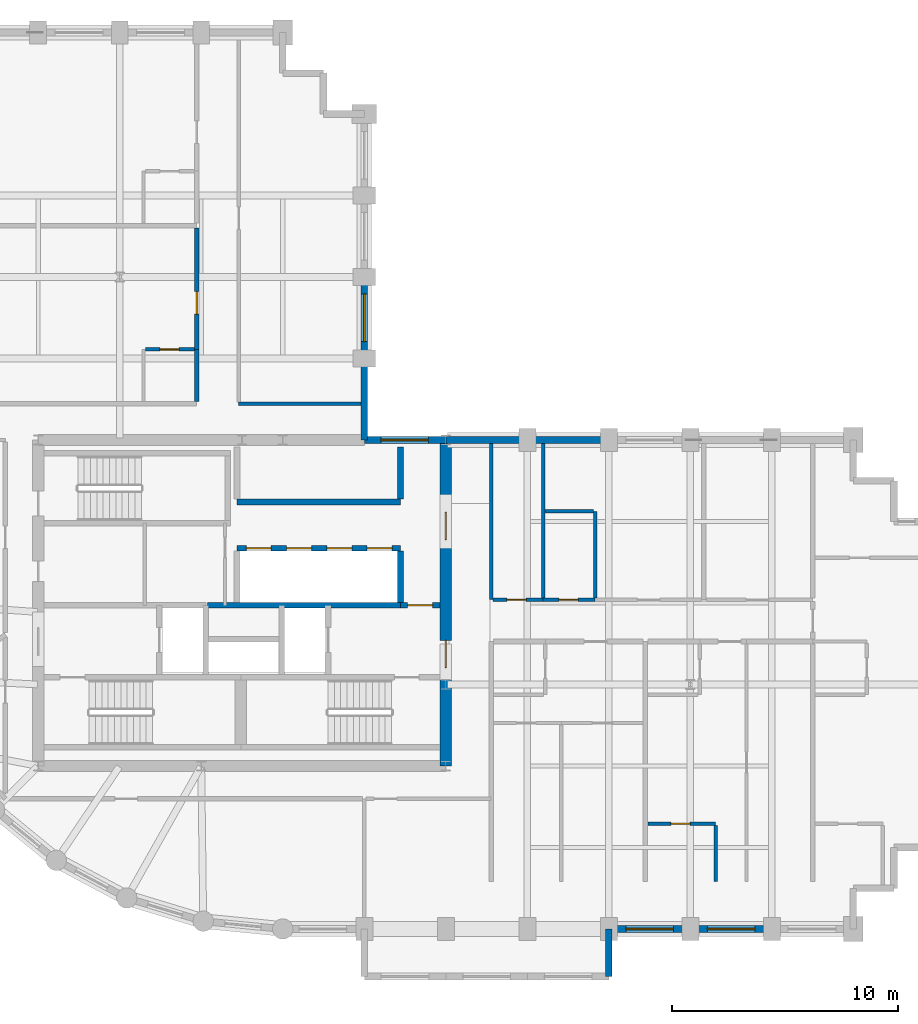
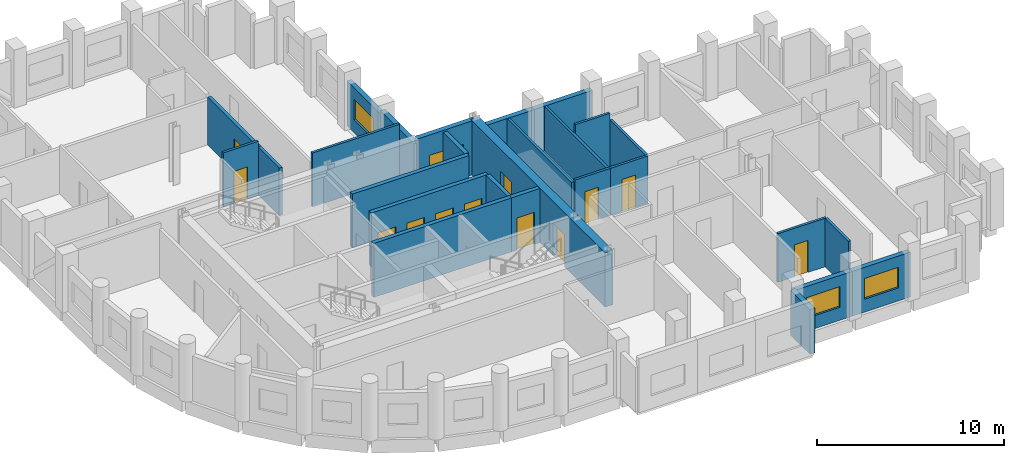
# One storey, part 5 of 9: 27 walls, 12 doors, 4 windows, 16 openings.
"""IFC4 building model written with IfcOpenShell, lengths in metres."""

from ifc_helpers import new_model, si_unit, direction, frame, frame_2d, origin, place, context, subcontext, project, spatial, rectangle, extrude, material, layer, layer_set, type_object, element, fill, save


model = new_model("IFC4")

# Units and contexts
model_context = context("Model", 3, precision=1e-05, world=origin(), true_north=direction((0.0, 1.0)))
body_context = subcontext(model_context, "Body", "Model", "MODEL_VIEW")
ifc_project = project(units=[si_unit("LENGTHUNIT", "METRE"), si_unit("AREAUNIT", "SQUARE_METRE"), si_unit("VOLUMEUNIT", "CUBIC_METRE"), si_unit("PLANEANGLEUNIT", "RADIAN"), si_unit("MASSUNIT", "GRAM", prefix="KILO")], contexts=[model_context])

# Site, building, storey
site_placement = place(None, origin())
site = spatial("IfcSite", under=ifc_project, at=site_placement, CompositionType="ELEMENT")
building_placement = place(site_placement, origin())
building = spatial("IfcBuilding", under=site, at=building_placement, Name="Solnavia Interchange Tower", CompositionType="ELEMENT")
storey_placement = place(building_placement, frame((0.0, 0.0, 139.0)))
storey = spatial("IfcBuildingStorey", under=building, at=storey_placement, Name="L34", CompositionType="ELEMENT", Elevation=139.0)

# Wall
ifc_material_1 = material(Name="Gypsum Acoustic Twin-Stud & Mineral Wool", Category="gypsum")
ifc_layer_1 = layer(ifc_material_1, 0.199951171875)
ifc_layer_set_1 = layer_set([ifc_layer_1], Name="Gypsum Acoustic Twin-Stud & Mineral Wool")
wall_type_1 = type_object("IfcWallType", Name="Wall-ApartmentParty-200", PredefinedType="PARTITIONING", material=ifc_layer_set_1)
wall_1_placement = place(storey_placement, frame((21.39990234375, 26.904052734375, 0.0), z_axis=(0.0, 0.0, 1.0), x_axis=(0.0, 1.0, 0.0)))
element("IfcWall", 1, at=wall_1_placement, inside=storey, type_object=wall_type_1, Name="PTW-L34-46 Interior partition wall", PredefinedType="PARTITIONING", context=body_context, shape_type="SweptSolid", body=[
    extrude(rectangle(XDim=2.2958984375, YDim=0.199951171875, at=frame_2d((1.14794921875, 0.0))), origin(), (0.0, 0.0, 1.0), 3.1298828125),
])

# Wall, opening, door
wall_2_placement = place(storey_placement, frame((21.39990234375, 29.199951171875, 0.0), z_axis=(0.0, 0.0, 1.0), x_axis=(0.0, 1.0, 0.0)))
wall_2 = element("IfcWall", 2, at=wall_2_placement, inside=storey, type_object=wall_type_1, Name="PTW-L34-49 Interior partition wall", PredefinedType="PARTITIONING", context=body_context, shape_type="SweptSolid", body=[
    extrude(rectangle(XDim=5.365966796875, YDim=0.199951171875, at=frame_2d((2.68310546875, 0.0))), origin(), (0.0, 0.0, 1.0), 3.1298828125),
])
opening_1_placement = place(wall_2_placement, frame((1.556884765625, 0.0, 0.0)))
opening_1 = element("IfcOpeningElement", 3, at=opening_1_placement, cuts=wall_2, Name="Opening DR-06", PredefinedType="OPENING", context=body_context, shape_type="SweptSolid", body=[
    extrude(rectangle(XDim=1.0, YDim=2.10009765625, at=frame_2d((0.5, 1.050048828125))), frame((0.0, 0.10986328125, 0.0), z_axis=(0.0, -1.0, 0.0), x_axis=(1.0, 0.0, 0.0)), (0.0, 0.0, 1.0), 0.219970703125),
])
ifc_material_2 = material(Name="Engineered Timber Acoustic Fire Door", Category="wood")
door_type_1 = type_object("IfcDoorType", Name="Door-FlatEntry-1000x2100", OperationType="SINGLE_SWING_LEFT", PredefinedType="DOOR", material=ifc_material_2)
door_1_placement = place(opening_1_placement, origin())
door_1 = element("IfcDoor", 4, at=door_1_placement, inside=storey, type_object=door_type_1, Name="DR-L34-22 Interior room door", OperationType="SINGLE_SWING_LEFT", OverallHeight=2.10009765625, OverallWidth=1.0, PredefinedType="DOOR", context=body_context, shape_type="SweptSolid", body=[
    extrude(rectangle(XDim=1.0, YDim=2.10009765625, at=frame_2d((0.5, 1.050048828125))), frame((0.0, 0.02490234375, 0.0), z_axis=(0.0, -1.0, 0.0), x_axis=(1.0, 0.0, 0.0)), (0.0, 0.0, 1.0), 0.050048828125),
])
fill(opening_1, door_1)

# Wall
ifc_material_3 = material(Name="Concrete C40/50", Category="concrete")
ifc_layer_2 = layer(ifc_material_3, 0.300048828125)
ifc_layer_set_2 = layer_set([ifc_layer_2], Name="Concrete C40/50")
wall_type_2 = type_object("IfcWallType", Name="Wall-ExtSpandrel-300", PredefinedType="STANDARD", material=ifc_layer_set_2)
wall_3_placement = place(storey_placement, frame((39.60009765625, 3.60009765625, 0.0), z_axis=(0.0, 0.0, 1.0), x_axis=(0.0, -1.0, 0.0)))
element("IfcWall", 5, at=wall_3_placement, inside=storey, type_object=wall_type_2, Name="EXW-L34-06 Exterior precast spandrel wall", PredefinedType="STANDARD", context=body_context, shape_type="SweptSolid", body=[
    extrude(rectangle(XDim=2.10009765625, YDim=0.300048828125, at=frame_2d((1.050048828125, 0.0))), origin(), (0.0, 0.0, 1.0), 2.929931640625),
])

# Wall, opening, window
wall_4_placement = place(storey_placement, frame((43.199951171875, 3.60009765625, 0.0), z_axis=(0.0, 0.0, 1.0), x_axis=(-1.0, 0.0, 0.0)))
wall_4 = element("IfcWall", 6, at=wall_4_placement, inside=storey, type_object=wall_type_2, Name="EXW-L34-07 Exterior precast spandrel wall", PredefinedType="STANDARD", context=body_context, shape_type="SweptSolid", body=[
    extrude(rectangle(XDim=3.599853515625, YDim=0.300048828125, at=frame_2d((1.7998046875, 0.0))), origin(), (0.0, 0.0, 1.0), 2.929931640625),
])
opening_2_placement = place(wall_4_placement, frame((0.75, 0.0, 0.85009765625)))
opening_2 = element("IfcOpeningElement", 7, at=opening_2_placement, cuts=wall_4, Name="Opening WIN-01", PredefinedType="OPENING", context=body_context, shape_type="SweptSolid", body=[
    extrude(rectangle(XDim=2.10009765625, YDim=1.35009765625, at=frame_2d((1.050048828125, 0.675048828125))), frame((0.0, 0.16015625, 0.0), z_axis=(0.0, -1.0, 0.0), x_axis=(1.0, 0.0, 0.0)), (0.0, 0.0, 1.0), 0.320068359375),
])
ifc_material_4 = material(Name="Thermal-Break Aluminium & Low-E Glass", Category="aluminium")
window_type = type_object("IfcWindowType", Name="Window-Ribbon-2100x1350", PartitioningType="SINGLE_PANEL", PredefinedType="WINDOW", material=ifc_material_4)
window_1_placement = place(opening_2_placement, origin())
window_1 = element("IfcWindow", 8, at=window_1_placement, inside=storey, type_object=window_type, Name="WIN-L34-07 Facade ribbon window", OverallHeight=1.35009765625, OverallWidth=2.10009765625, PartitioningType="SINGLE_PANEL", PredefinedType="WINDOW", context=body_context, shape_type="SweptSolid", body=[
    extrude(rectangle(XDim=2.10009765625, YDim=1.35009765625, at=frame_2d((1.050048828125, 0.675048828125))), frame((0.0, 0.030029296875, 0.0), z_axis=(0.0, -1.0, 0.0), x_axis=(1.0, 0.0, 0.0)), (0.0, 0.0, 1.0), 0.06005859375),
])
fill(opening_2, window_1)

wall_5_placement = place(storey_placement, frame((46.800048828125, 3.60009765625, 0.0), z_axis=(0.0, 0.0, 1.0), x_axis=(-1.0, 0.0, 0.0)))
wall_5 = element("IfcWall", 9, at=wall_5_placement, inside=storey, type_object=wall_type_2, Name="EXW-L34-08 Exterior precast spandrel wall", PredefinedType="STANDARD", context=body_context, shape_type="SweptSolid", body=[
    extrude(rectangle(XDim=3.60009765625, YDim=0.300048828125, at=frame_2d((1.800048828125, 0.0))), origin(), (0.0, 0.0, 1.0), 2.929931640625),
])
opening_3_placement = place(wall_5_placement, frame((0.75, 0.0, 0.85009765625)))
opening_3 = element("IfcOpeningElement", 10, at=opening_3_placement, cuts=wall_5, Name="Opening WIN-01", PredefinedType="OPENING", context=body_context, shape_type="SweptSolid", body=[
    extrude(rectangle(XDim=2.10009765625, YDim=1.35009765625, at=frame_2d((1.050048828125, 0.675048828125))), frame((0.0, 0.16015625, 0.0), z_axis=(0.0, -1.0, 0.0), x_axis=(1.0, 0.0, 0.0)), (0.0, 0.0, 1.0), 0.320068359375),
])
window_2_placement = place(opening_3_placement, origin())
window_2 = element("IfcWindow", 11, at=window_2_placement, inside=storey, type_object=window_type, Name="WIN-L34-08 Facade ribbon window", OverallHeight=1.35009765625, OverallWidth=2.10009765625, PartitioningType="SINGLE_PANEL", PredefinedType="WINDOW", context=body_context, shape_type="SweptSolid", body=[
    extrude(rectangle(XDim=2.10009765625, YDim=1.35009765625, at=frame_2d((1.050048828125, 0.675048828125))), frame((0.0, 0.030029296875, 0.0), z_axis=(0.0, -1.0, 0.0), x_axis=(1.0, 0.0, 0.0)), (0.0, 0.0, 1.0), 0.06005859375),
])
fill(opening_3, window_2)

# Walls
for number, where, z_axis, x_axis, name in (
    (12, (36.0, 25.199951171875, 0.0), (0.0, 0.0, 1.0), (1.0, 0.0, 0.0), "EXW-L34-25 Exterior precast spandrel wall"),
    (13, (32.39990234375, 25.199951171875, 0.0), (0.0, 0.0, 1.0), (1.0, 0.0, 0.0), "EXW-L34-26 Exterior precast spandrel wall"),
):
    element("IfcWall", number, at=place(storey_placement, frame(where, z_axis=z_axis, x_axis=x_axis)), inside=storey, type_object=wall_type_2, Name=name, PredefinedType="STANDARD", context=body_context, shape_type="SweptSolid", body=[
        extrude(rectangle(XDim=3.60009765625, YDim=0.300048828125, at=frame_2d((1.800048828125, 0.0))), origin(), (0.0, 0.0, 1.0), 2.929931640625),
    ])

# Wall, opening, window
wall_6_placement = place(storey_placement, frame((28.800048828125, 25.199951171875, 0.0), z_axis=(0.0, 0.0, 1.0), x_axis=(1.0, 0.0, 0.0)))
wall_6 = element("IfcWall", 14, at=wall_6_placement, inside=storey, type_object=wall_type_2, Name="EXW-L34-27 Exterior precast spandrel wall", PredefinedType="STANDARD", context=body_context, shape_type="SweptSolid", body=[
    extrude(rectangle(XDim=3.599853515625, YDim=0.300048828125, at=frame_2d((1.7998046875, 0.0))), origin(), (0.0, 0.0, 1.0), 3.534912109375),
])
opening_4_placement = place(wall_6_placement, frame((0.73388671875, 0.0, 0.85009765625)))
opening_4 = element("IfcOpeningElement", 15, at=opening_4_placement, cuts=wall_6, Name="Opening WIN-01", PredefinedType="OPENING", context=body_context, shape_type="SweptSolid", body=[
    extrude(rectangle(XDim=2.10009765625, YDim=1.35009765625, at=frame_2d((1.050048828125, 0.675048828125))), frame((0.0, 0.16015625, 0.0), z_axis=(0.0, -1.0, 0.0), x_axis=(1.0, 0.0, 0.0)), (0.0, 0.0, 1.0), 0.320068359375),
])
window_3_placement = place(opening_4_placement, origin())
window_3 = element("IfcWindow", 16, at=window_3_placement, inside=storey, type_object=window_type, Name="WIN-L34-27 Facade ribbon window", OverallHeight=1.35009765625, OverallWidth=2.10009765625, PartitioningType="SINGLE_PANEL", PredefinedType="WINDOW", context=body_context, shape_type="SweptSolid", body=[
    extrude(rectangle(XDim=2.10009765625, YDim=1.35009765625, at=frame_2d((1.050048828125, 0.675048828125))), frame((0.0, 0.030029296875, 0.0), z_axis=(0.0, -1.0, 0.0), x_axis=(1.0, 0.0, 0.0)), (0.0, 0.0, 1.0), 0.06005859375),
])
fill(opening_4, window_3)

# Wall
wall_7_placement = place(storey_placement, frame((28.800048828125, 28.800048828125, 0.0), z_axis=(0.0, 0.0, 1.0), x_axis=(0.0, -1.0, 0.0)))
element("IfcWall", 17, at=wall_7_placement, inside=storey, type_object=wall_type_2, Name="EXW-L34-28 Exterior precast spandrel wall", PredefinedType="STANDARD", context=body_context, shape_type="SweptSolid", body=[
    extrude(rectangle(XDim=3.60009765625, YDim=0.300048828125, at=frame_2d((1.800048828125, 0.0))), origin(), (0.0, 0.0, 1.0), 3.169921875),
])

# Wall, opening, window
wall_8_placement = place(storey_placement, frame((28.800048828125, 32.39990234375, 0.0), z_axis=(0.0, 0.0, 1.0), x_axis=(0.0, -1.0, 0.0)))
wall_8 = element("IfcWall", 18, at=wall_8_placement, inside=storey, type_object=wall_type_2, Name="EXW-L34-29 Exterior precast spandrel wall", PredefinedType="STANDARD", context=body_context, shape_type="SweptSolid", body=[
    extrude(rectangle(XDim=3.599853515625, YDim=0.300048828125, at=frame_2d((1.7998046875, 0.0))), origin(), (0.0, 0.0, 1.0), 2.929931640625),
])
opening_5_placement = place(wall_8_placement, frame((0.75, 0.0, 0.85009765625)))
opening_5 = element("IfcOpeningElement", 19, at=opening_5_placement, cuts=wall_8, Name="Opening WIN-01", PredefinedType="OPENING", context=body_context, shape_type="SweptSolid", body=[
    extrude(rectangle(XDim=2.10009765625, YDim=1.35009765625, at=frame_2d((1.050048828125, 0.675048828125))), frame((0.0, 0.16015625, 0.0), z_axis=(0.0, -1.0, 0.0), x_axis=(1.0, 0.0, 0.0)), (0.0, 0.0, 1.0), 0.320068359375),
])
window_4_placement = place(opening_5_placement, origin())
window_4 = element("IfcWindow", 20, at=window_4_placement, inside=storey, type_object=window_type, Name="WIN-L34-29 Facade ribbon window", OverallHeight=1.35009765625, OverallWidth=2.10009765625, PartitioningType="SINGLE_PANEL", PredefinedType="WINDOW", context=body_context, shape_type="SweptSolid", body=[
    extrude(rectangle(XDim=2.10009765625, YDim=1.35009765625, at=frame_2d((1.050048828125, 0.675048828125))), frame((0.0, 0.030029296875, 0.0), z_axis=(0.0, -1.0, 0.0), x_axis=(1.0, 0.0, 0.0)), (0.0, 0.0, 1.0), 0.06005859375),
])
fill(opening_5, window_4)

# Walls
ifc_material_5 = material(Name="Gypsum Plasterboard & Steel Stud", Category="steel")
ifc_layer_3 = layer(ifc_material_5, 0.14990234375)
ifc_layer_set_3 = layer_set([ifc_layer_3], Name="Gypsum Plasterboard & Steel Stud")
wall_type_3 = type_object("IfcWallType", Name="Wall-Partition-150", PredefinedType="PARTITIONING", material=ifc_layer_set_3)
wall_9_placement = place(storey_placement, frame((23.25, 26.800048828125, 0.0), z_axis=(0.0, 0.0, 1.0), x_axis=(1.0, 0.0, 0.0)))
element("IfcWall", 21, at=wall_9_placement, inside=storey, type_object=wall_type_3, Name="PTW-L34-60 Interior partition wall", PredefinedType="PARTITIONING", context=body_context, shape_type="SweptSolid", body=[
    extrude(rectangle(XDim=5.39599609375, YDim=0.14990234375, at=frame_2d((2.697998046875, 0.0))), origin(), (0.0, 0.0, 1.0), 3.534912109375),
])
ifc_layer_4 = layer(ifc_material_3, 0.25)
ifc_layer_set_4 = layer_set([ifc_layer_4], Name="Concrete C40/50")
wall_type_4 = type_object("IfcWallType", Name="Wall-ShaftPart-250", PredefinedType="PARTITIONING", material=ifc_layer_set_4)
wall_10_placement = place(storey_placement, frame((21.8798828125, 17.89990234375, 0.0), z_axis=(0.0, 0.0, 1.0), x_axis=(1.0, 0.0, 0.0)))
element("IfcWall", 22, at=wall_10_placement, inside=storey, type_object=wall_type_4, Name="SHW-L34-FFLE-N1 Core shaft wall", PredefinedType="PARTITIONING", context=body_context, shape_type="SweptSolid", body=[
    extrude(rectangle(XDim=8.52001953125, YDim=0.25, at=frame_2d((4.260009765625, 0.0))), origin(), (0.0, 0.0, 1.0), 3.534912109375),
])

# Wall, opening, door
wall_11_placement = place(storey_placement, frame((30.39990234375, 17.89990234375, 0.0), z_axis=(0.0, 0.0, 1.0), x_axis=(1.0, 0.0, 0.0)))
wall_11 = element("IfcWall", 23, at=wall_11_placement, inside=storey, type_object=wall_type_4, Name="SHW-L34-FFLE-N2 Core shaft wall", PredefinedType="PARTITIONING", context=body_context, shape_type="SweptSolid", body=[
    extrude(rectangle(XDim=1.75, YDim=0.25, at=frame_2d((0.875, 0.0))), origin(), (0.0, 0.0, 1.0), 3.534912109375),
])
opening_6_placement = place(wall_11_placement, frame((0.320068359375, 0.0, 0.0)))
opening_6 = element("IfcOpeningElement", 24, at=opening_6_placement, cuts=wall_11, Name="Opening DR-01", PredefinedType="OPENING", context=body_context, shape_type="SweptSolid", body=[
    extrude(rectangle(XDim=1.10009765625, YDim=2.10009765625, at=frame_2d((0.550048828125, 1.050048828125))), frame((0.0, 0.135009765625, 0.0), z_axis=(0.0, -1.0, 0.0), x_axis=(1.0, 0.0, 0.0)), (0.0, 0.0, 1.0), 0.27001953125),
])
ifc_material_6 = material(Name="Steel Fire-Rated Leaf & Frame", Category="steel")
door_type_2 = type_object("IfcDoorType", Name="Door-StairFire-1100x2100", OperationType="SINGLE_SWING_LEFT", PredefinedType="DOOR", material=ifc_material_6)
door_2_placement = place(opening_6_placement, origin())
door_2 = element("IfcDoor", 25, at=door_2_placement, inside=storey, type_object=door_type_2, Name="DR-L34-LLC Core fire door", OperationType="SINGLE_SWING_LEFT", OverallHeight=2.10009765625, OverallWidth=1.10009765625, PredefinedType="DOOR", context=body_context, shape_type="SweptSolid", body=[
    extrude(rectangle(XDim=1.10009765625, YDim=2.10009765625, at=frame_2d((0.550048828125, 1.050048828125))), frame((0.0, 0.02490234375, 0.0), z_axis=(0.0, -1.0, 0.0), x_axis=(1.0, 0.0, 0.0)), (0.0, 0.0, 1.0), 0.050048828125),
])
fill(opening_6, door_2)

# Wall, openings, doors
wall_12_placement = place(storey_placement, frame((23.179931640625, 20.419921875, 0.0), z_axis=(0.0, 0.0, 1.0), x_axis=(1.0, 0.0, 0.0)))
wall_12 = element("IfcWall", 26, at=wall_12_placement, inside=storey, type_object=wall_type_4, Name="SHW-L34-B2N Core shaft wall", PredefinedType="PARTITIONING", context=body_context, shape_type="SweptSolid", body=[
    extrude(rectangle(XDim=7.219970703125, YDim=0.25, at=frame_2d((3.60986328125, 0.0))), origin(), (0.0, 0.0, 1.0), 3.534912109375),
])
opening_7_placement = place(wall_12_placement, frame((0.409912109375, 0.0, 0.0)))
opening_7 = element("IfcOpeningElement", 27, at=opening_7_placement, cuts=wall_12, Name="Opening LD-01", PredefinedType="OPENING", context=body_context, shape_type="SweptSolid", body=[
    extrude(rectangle(XDim=1.10009765625, YDim=2.10009765625, at=frame_2d((0.550048828125, 1.050048828125))), frame((0.0, 0.135009765625, 0.0), z_axis=(0.0, -1.0, 0.0), x_axis=(1.0, 0.0, 0.0)), (0.0, 0.0, 1.0), 0.27001953125),
])
opening_8_placement = place(wall_12_placement, frame((2.18994140625, 0.0, 0.0)))
opening_8 = element("IfcOpeningElement", 28, at=opening_8_placement, cuts=wall_12, Name="Opening LD-01", PredefinedType="OPENING", context=body_context, shape_type="SweptSolid", body=[
    extrude(rectangle(XDim=1.10009765625, YDim=2.10009765625, at=frame_2d((0.550048828125, 1.050048828125))), frame((0.0, 0.135009765625, 0.0), z_axis=(0.0, -1.0, 0.0), x_axis=(1.0, 0.0, 0.0)), (0.0, 0.0, 1.0), 0.27001953125),
])
opening_9_placement = place(wall_12_placement, frame((3.969970703125, 0.0, 0.0)))
opening_9 = element("IfcOpeningElement", 29, at=opening_9_placement, cuts=wall_12, Name="Opening LD-01", PredefinedType="OPENING", context=body_context, shape_type="SweptSolid", body=[
    extrude(rectangle(XDim=1.10009765625, YDim=2.10009765625, at=frame_2d((0.550048828125, 1.050048828125))), frame((0.0, 0.135009765625, 0.0), z_axis=(0.0, -1.0, 0.0), x_axis=(1.0, 0.0, 0.0)), (0.0, 0.0, 1.0), 0.27001953125),
])
opening_10_placement = place(wall_12_placement, frame((5.75, 0.0, 0.0)))
opening_10 = element("IfcOpeningElement", 30, at=opening_10_placement, cuts=wall_12, Name="Opening LD-01", PredefinedType="OPENING", context=body_context, shape_type="SweptSolid", body=[
    extrude(rectangle(XDim=1.10009765625, YDim=2.10009765625, at=frame_2d((0.550048828125, 1.050048828125))), frame((0.0, 0.135009765625, 0.0), z_axis=(0.0, -1.0, 0.0), x_axis=(1.0, 0.0, 0.0)), (0.0, 0.0, 1.0), 0.27001953125),
])
ifc_material_7 = material(Name="Brushed Stainless Steel Sliding Door", Category="steel")
door_type_3 = type_object("IfcDoorType", Name="Door-LiftLanding-1100x2100", OperationType="SLIDING_TO_LEFT", PredefinedType="DOOR", material=ifc_material_7)
door_3_placement = place(opening_7_placement, origin())
door_3 = element("IfcDoor", 31, at=door_3_placement, inside=storey, type_object=door_type_3, Name="LD-L34-B2-1 Lift landing sliding door", OperationType="SLIDING_TO_LEFT", OverallHeight=2.10009765625, OverallWidth=1.10009765625, PredefinedType="DOOR", context=body_context, shape_type="SweptSolid", body=[
    extrude(rectangle(XDim=1.10009765625, YDim=2.10009765625, at=frame_2d((0.550048828125, 1.050048828125))), frame((0.0, 0.02490234375, 0.0), z_axis=(0.0, -1.0, 0.0), x_axis=(1.0, 0.0, 0.0)), (0.0, 0.0, 1.0), 0.050048828125),
])
fill(opening_7, door_3)
door_4_placement = place(opening_8_placement, origin())
door_4 = element("IfcDoor", 32, at=door_4_placement, inside=storey, type_object=door_type_3, Name="LD-L34-B2-2 Lift landing sliding door", OperationType="SLIDING_TO_LEFT", OverallHeight=2.10009765625, OverallWidth=1.10009765625, PredefinedType="DOOR", context=body_context, shape_type="SweptSolid", body=[
    extrude(rectangle(XDim=1.10009765625, YDim=2.10009765625, at=frame_2d((0.550048828125, 1.050048828125))), frame((0.0, 0.02490234375, 0.0), z_axis=(0.0, -1.0, 0.0), x_axis=(1.0, 0.0, 0.0)), (0.0, 0.0, 1.0), 0.050048828125),
])
fill(opening_8, door_4)
door_5_placement = place(opening_9_placement, origin())
door_5 = element("IfcDoor", 33, at=door_5_placement, inside=storey, type_object=door_type_3, Name="LD-L34-B2-3 Lift landing sliding door", OperationType="SLIDING_TO_LEFT", OverallHeight=2.10009765625, OverallWidth=1.10009765625, PredefinedType="DOOR", context=body_context, shape_type="SweptSolid", body=[
    extrude(rectangle(XDim=1.10009765625, YDim=2.10009765625, at=frame_2d((0.550048828125, 1.050048828125))), frame((0.0, 0.02490234375, 0.0), z_axis=(0.0, -1.0, 0.0), x_axis=(1.0, 0.0, 0.0)), (0.0, 0.0, 1.0), 0.050048828125),
])
fill(opening_9, door_5)
door_6_placement = place(opening_10_placement, origin())
door_6 = element("IfcDoor", 34, at=door_6_placement, inside=storey, type_object=door_type_3, Name="LD-L34-B2-4 Lift landing sliding door", OperationType="SLIDING_TO_LEFT", OverallHeight=2.10009765625, OverallWidth=1.10009765625, PredefinedType="DOOR", context=body_context, shape_type="SweptSolid", body=[
    extrude(rectangle(XDim=1.10009765625, YDim=2.10009765625, at=frame_2d((0.550048828125, 1.050048828125))), frame((0.0, 0.02490234375, 0.0), z_axis=(0.0, -1.0, 0.0), x_axis=(1.0, 0.0, 0.0)), (0.0, 0.0, 1.0), 0.050048828125),
])
fill(opening_10, door_6)

# Walls
wall_13_placement = place(storey_placement, frame((30.39990234375, 18.02490234375, 0.0), z_axis=(0.0, 0.0, 1.0), x_axis=(0.0, 1.0, 0.0)))
element("IfcWall", 35, at=wall_13_placement, inside=storey, type_object=wall_type_4, Name="SHW-L34-B2E Core shaft wall", PredefinedType="PARTITIONING", context=body_context, shape_type="SweptSolid", body=[
    extrude(rectangle(XDim=2.27001953125, YDim=0.25, at=frame_2d((1.135009765625, 0.0))), origin(), (0.0, 0.0, 1.0), 3.534912109375),
])
wall_14_placement = place(storey_placement, frame((23.179931640625, 22.4599609375, 0.0), z_axis=(0.0, 0.0, 1.0), x_axis=(1.0, 0.0, 0.0)))
element("IfcWall", 36, at=wall_14_placement, inside=storey, type_object=wall_type_4, Name="SHW-L34-B3S Core shaft wall", PredefinedType="PARTITIONING", context=body_context, shape_type="SweptSolid", body=[
    extrude(rectangle(XDim=7.219970703125, YDim=0.25, at=frame_2d((3.60986328125, 0.0))), origin(), (0.0, 0.0, 1.0), 3.534912109375),
])
wall_15_placement = place(storey_placement, frame((30.39990234375, 22.5849609375, 0.0), z_axis=(0.0, 0.0, 1.0), x_axis=(0.0, 1.0, 0.0)))
element("IfcWall", 37, at=wall_15_placement, inside=storey, type_object=wall_type_4, Name="SHW-L34-B3E Core shaft wall", PredefinedType="PARTITIONING", context=body_context, shape_type="SweptSolid", body=[
    extrude(rectangle(XDim=2.31494140625, YDim=0.25, at=frame_2d((1.157470703125, 0.0))), origin(), (0.0, 0.0, 1.0), 3.534912109375),
])

# Wall, openings, doors
ifc_material_8 = material(Name="Concrete C60/75", Category="concrete")
ifc_layer_5 = layer(ifc_material_8, 0.5)
ifc_layer_set_5 = layer_set([ifc_layer_5], Name="Concrete C60/75")
wall_type_5 = type_object("IfcWallType", Name="Wall-ShearCore-500", PredefinedType="SHEAR", material=ifc_layer_set_5)
wall_16_placement = place(storey_placement, frame((32.39990234375, 10.800048828125, 0.0), z_axis=(0.0, 0.0, 1.0), x_axis=(0.0, 1.0, 0.0)))
wall_16 = element("IfcWall", 38, at=wall_16_placement, inside=storey, type_object=wall_type_5, Name="CRW-L34-E Core shear wall", PredefinedType="SHEAR", context=body_context, shape_type="SweptSolid", body=[
    extrude(rectangle(XDim=14.39990234375, YDim=0.5, at=frame_2d((7.199951171875, 0.0))), origin(), (0.0, 0.0, 1.0), 3.550048828125),
])
opening_11_placement = place(wall_16_placement, frame((4.35009765625, 0.0, 0.0)))
opening_11 = element("IfcOpeningElement", 39, at=opening_11_placement, cuts=wall_16, Name="Opening DR-02", PredefinedType="OPENING", context=body_context, shape_type="SweptSolid", body=[
    extrude(rectangle(XDim=1.199951171875, YDim=2.10009765625, at=frame_2d((0.60009765625, 1.050048828125))), frame((0.0, 0.260009765625, 0.0), z_axis=(0.0, -1.0, 0.0), x_axis=(1.0, 0.0, 0.0)), (0.0, 0.0, 1.0), 0.52001953125),
])
opening_12_placement = place(wall_16_placement, frame((10.0, 0.0, 0.0)))
opening_12 = element("IfcOpeningElement", 40, at=opening_12_placement, cuts=wall_16, Name="Opening DR-02", PredefinedType="OPENING", context=body_context, shape_type="SweptSolid", body=[
    extrude(rectangle(XDim=1.199951171875, YDim=2.10009765625, at=frame_2d((0.60009765625, 1.050048828125))), frame((0.0, 0.260009765625, 0.0), z_axis=(0.0, -1.0, 0.0), x_axis=(1.0, 0.0, 0.0)), (0.0, 0.0, 1.0), 0.52001953125),
])
ifc_material_9 = material(Name="Steel Fire-Rated Vision-Panel Door", Category="steel")
door_type_4 = type_object("IfcDoorType", Name="Door-LobbyFire-1200x2100", OperationType="SINGLE_SWING_RIGHT", PredefinedType="DOOR", material=ifc_material_9)
door_7_placement = place(opening_11_placement, origin())
door_7 = element("IfcDoor", 41, at=door_7_placement, inside=storey, type_object=door_type_4, Name="DR-L34-FFL2E Core fire door", OperationType="SINGLE_SWING_LEFT", OverallHeight=2.10009765625, OverallWidth=1.199951171875, PredefinedType="DOOR", context=body_context, shape_type="SweptSolid", body=[
    extrude(rectangle(XDim=1.199951171875, YDim=2.10009765625, at=frame_2d((0.60009765625, 1.050048828125))), frame((0.0, 0.02490234375, 0.0), z_axis=(0.0, -1.0, 0.0), x_axis=(1.0, 0.0, 0.0)), (0.0, 0.0, 1.0), 0.050048828125),
])
fill(opening_11, door_7)
door_8_placement = place(opening_12_placement, origin())
door_8 = element("IfcDoor", 42, at=door_8_placement, inside=storey, type_object=door_type_4, Name="DR-L34-LLE Core fire door", OperationType="SINGLE_SWING_RIGHT", OverallHeight=2.10009765625, OverallWidth=1.199951171875, PredefinedType="DOOR", context=body_context, shape_type="SweptSolid", body=[
    extrude(rectangle(XDim=1.199951171875, YDim=2.10009765625, at=frame_2d((0.60009765625, 1.050048828125))), frame((0.0, 0.02490234375, 0.0), z_axis=(0.0, -1.0, 0.0), x_axis=(1.0, 0.0, 0.0)), (0.0, 0.0, 1.0), 0.050048828125),
])
fill(opening_12, door_8)

# Wall
ifc_material_10 = material(Name="Moisture-Resistant Gypsum & Steel Stud", Category="steel")
ifc_layer_6 = layer(ifc_material_10, 0.14990234375)
ifc_layer_set_6 = layer_set([ifc_layer_6], Name="Moisture-Resistant Gypsum & Steel Stud")
wall_type_6 = type_object("IfcWallType", Name="Wall-WetRoom-150", PredefinedType="PARTITIONING", material=ifc_layer_set_6)
wall_17_placement = place(storey_placement, frame((34.39990234375, 18.14990234375, 0.0), z_axis=(0.0, 0.0, 1.0), x_axis=(0.0, 1.0, 0.0)))
element("IfcWall", 43, at=wall_17_placement, inside=storey, type_object=wall_type_6, Name="PTW-L34-01 Interior partition wall", PredefinedType="PARTITIONING", context=body_context, shape_type="SweptSolid", body=[
    extrude(rectangle(XDim=6.89599609375, YDim=0.14990234375, at=frame_2d((3.447998046875, 0.0))), origin(), (0.0, 0.0, 1.0), 2.929931640625),
])

# Wall, opening, door
wall_18_placement = place(storey_placement, frame((34.47900390625, 18.14990234375, 0.0), z_axis=(0.0, 0.0, 1.0), x_axis=(1.0, 0.0, 0.0)))
wall_18 = element("IfcWall", 44, at=wall_18_placement, inside=storey, type_object=wall_type_6, Name="PTW-L34-02 Interior partition wall", PredefinedType="PARTITIONING", context=body_context, shape_type="SweptSolid", body=[
    extrude(rectangle(XDim=2.220947265625, YDim=0.14990234375, at=frame_2d((1.1103515625, 0.0))), origin(), (0.0, 0.0, 1.0), 3.080078125),
])
opening_13_placement = place(wall_18_placement, frame((0.617919921875, 0.0, 0.0)))
opening_13 = element("IfcOpeningElement", 45, at=opening_13_placement, cuts=wall_18, Name="Opening DR-10", PredefinedType="OPENING", context=body_context, shape_type="SweptSolid", body=[
    extrude(rectangle(XDim=0.85009765625, YDim=2.10009765625, at=frame_2d((0.425048828125, 1.050048828125))), frame((0.0, 0.0849609375, 0.0), z_axis=(0.0, -1.0, 0.0), x_axis=(1.0, 0.0, 0.0)), (0.0, 0.0, 1.0), 0.169921875),
])
ifc_material_11 = material(Name="Moisture-Resistant Timber Door", Category="wood")
door_type_5 = type_object("IfcDoorType", Name="Door-Bathroom-850x2100", OperationType="SINGLE_SWING_RIGHT", PredefinedType="DOOR", material=ifc_material_11)
door_9_placement = place(opening_13_placement, origin())
door_9 = element("IfcDoor", 46, at=door_9_placement, inside=storey, type_object=door_type_5, Name="DR-L34-01 Interior room door", OperationType="SINGLE_SWING_LEFT", OverallHeight=2.10009765625, OverallWidth=0.85009765625, PredefinedType="DOOR", context=body_context, shape_type="SweptSolid", body=[
    extrude(rectangle(XDim=0.85009765625, YDim=2.10009765625, at=frame_2d((0.425048828125, 1.050048828125))), frame((0.0, 0.02490234375, 0.0), z_axis=(0.0, -1.0, 0.0), x_axis=(1.0, 0.0, 0.0)), (0.0, 0.0, 1.0), 0.050048828125),
])
fill(opening_13, door_9)

# Wall
wall_19_placement = place(storey_placement, frame((36.699951171875, 18.22900390625, 0.0), z_axis=(0.0, 0.0, 1.0), x_axis=(0.0, 1.0, 0.0)))
element("IfcWall", 47, at=wall_19_placement, inside=storey, type_object=wall_type_6, Name="PTW-L34-03 Interior partition wall", PredefinedType="PARTITIONING", context=body_context, shape_type="SweptSolid", body=[
    extrude(rectangle(XDim=6.81689453125, YDim=0.14990234375, at=frame_2d((3.408447265625, 0.0))), origin(), (0.0, 0.0, 1.0), 2.929931640625),
])

# Wall, opening, door
wall_20_placement = place(storey_placement, frame((36.699951171875, 18.14990234375, 0.0), z_axis=(0.0, 0.0, 1.0), x_axis=(1.0, 0.0, 0.0)))
wall_20 = element("IfcWall", 48, at=wall_20_placement, inside=storey, type_object=wall_type_6, Name="PTW-L34-04 Interior partition wall", PredefinedType="PARTITIONING", context=body_context, shape_type="SweptSolid", body=[
    extrude(rectangle(XDim=2.300048828125, YDim=0.14990234375, at=frame_2d((1.14990234375, 0.0))), origin(), (0.0, 0.0, 1.0), 3.080078125),
])
opening_14_placement = place(wall_20_placement, frame((0.697021484375, 0.0, 0.0)))
opening_14 = element("IfcOpeningElement", 49, at=opening_14_placement, cuts=wall_20, Name="Opening DR-10", PredefinedType="OPENING", context=body_context, shape_type="SweptSolid", body=[
    extrude(rectangle(XDim=0.85009765625, YDim=2.10009765625, at=frame_2d((0.425048828125, 1.050048828125))), frame((0.0, 0.0849609375, 0.0), z_axis=(0.0, -1.0, 0.0), x_axis=(1.0, 0.0, 0.0)), (0.0, 0.0, 1.0), 0.169921875),
])
door_10_placement = place(opening_14_placement, origin())
door_10 = element("IfcDoor", 50, at=door_10_placement, inside=storey, type_object=door_type_5, Name="DR-L34-02 Interior room door", OperationType="SINGLE_SWING_RIGHT", OverallHeight=2.10009765625, OverallWidth=0.85009765625, PredefinedType="DOOR", context=body_context, shape_type="SweptSolid", body=[
    extrude(rectangle(XDim=0.85009765625, YDim=2.10009765625, at=frame_2d((0.425048828125, 1.050048828125))), frame((0.0, 0.02490234375, 0.0), z_axis=(0.0, -1.0, 0.0), x_axis=(1.0, 0.0, 0.0)), (0.0, 0.0, 1.0), 0.050048828125),
])
fill(opening_14, door_10)

# Walls
wall_21_placement = place(storey_placement, frame((39.0, 18.22900390625, 0.0), z_axis=(0.0, 0.0, 1.0), x_axis=(0.0, 1.0, 0.0)))
element("IfcWall", 51, at=wall_21_placement, inside=storey, type_object=wall_type_6, Name="PTW-L34-05 Interior partition wall", PredefinedType="PARTITIONING", context=body_context, shape_type="SweptSolid", body=[
    extrude(rectangle(XDim=3.821044921875, YDim=0.14990234375, at=frame_2d((1.91064453125, 0.0))), origin(), (0.0, 0.0, 1.0), 3.080078125),
])
wall_22_placement = place(storey_placement, frame((36.779052734375, 22.050048828125, 0.0), z_axis=(0.0, 0.0, 1.0), x_axis=(1.0, 0.0, 0.0)))
element("IfcWall", 52, at=wall_22_placement, inside=storey, type_object=wall_type_6, Name="PTW-L34-06 Interior partition wall", PredefinedType="PARTITIONING", context=body_context, shape_type="SweptSolid", body=[
    extrude(rectangle(XDim=2.141845703125, YDim=0.14990234375, at=frame_2d((1.07080078125, 0.0))), origin(), (0.0, 0.0, 1.0), 3.534912109375),
])

# Wall, opening, door
wall_23_placement = place(storey_placement, frame((41.323974609375, 8.25, 0.0), z_axis=(0.0, 0.0, 1.0), x_axis=(1.0, 0.0, 0.0)))
wall_23 = element("IfcWall", 53, at=wall_23_placement, inside=storey, type_object=wall_type_6, Name="PTW-L34-30 Interior partition wall", PredefinedType="PARTITIONING", context=body_context, shape_type="SweptSolid", body=[
    extrude(rectangle(XDim=2.99609375, YDim=0.14990234375, at=frame_2d((1.498046875, 0.0))), origin(), (0.0, 0.0, 1.0), 3.179931640625),
])
opening_15_placement = place(wall_23_placement, frame((1.02099609375, 0.0, 0.0)))
opening_15 = element("IfcOpeningElement", 54, at=opening_15_placement, cuts=wall_23, Name="Opening DR-10", PredefinedType="OPENING", context=body_context, shape_type="SweptSolid", body=[
    extrude(rectangle(XDim=0.85009765625, YDim=2.10009765625, at=frame_2d((0.425048828125, 1.050048828125))), frame((0.0, 0.0849609375, 0.0), z_axis=(0.0, -1.0, 0.0), x_axis=(1.0, 0.0, 0.0)), (0.0, 0.0, 1.0), 0.169921875),
])
door_11_placement = place(opening_15_placement, origin())
door_11 = element("IfcDoor", 55, at=door_11_placement, inside=storey, type_object=door_type_5, Name="DR-L34-14 Interior room door", OperationType="SINGLE_SWING_LEFT", OverallHeight=2.10009765625, OverallWidth=0.85009765625, PredefinedType="DOOR", context=body_context, shape_type="SweptSolid", body=[
    extrude(rectangle(XDim=0.85009765625, YDim=2.10009765625, at=frame_2d((0.425048828125, 1.050048828125))), frame((0.0, 0.02490234375, 0.0), z_axis=(0.0, -1.0, 0.0), x_axis=(1.0, 0.0, 0.0)), (0.0, 0.0, 1.0), 0.050048828125),
])
fill(opening_15, door_11)

# Wall
wall_24_placement = place(storey_placement, frame((44.320068359375, 5.699951171875, 0.0), z_axis=(0.0, 0.0, 1.0), x_axis=(0.0, 1.0, 0.0)))
element("IfcWall", 56, at=wall_24_placement, inside=storey, type_object=wall_type_6, Name="PTW-L34-31 Interior partition wall", PredefinedType="PARTITIONING", context=body_context, shape_type="SweptSolid", body=[
    extrude(rectangle(XDim=2.470947265625, YDim=0.14990234375, at=frame_2d((1.2353515625, 0.0))), origin(), (0.0, 0.0, 1.0), 3.169921875),
])

# Wall, opening, door
wall_25_placement = place(storey_placement, frame((19.12890625, 29.199951171875, 0.0), z_axis=(0.0, 0.0, 1.0), x_axis=(1.0, 0.0, 0.0)))
wall_25 = element("IfcWall", 57, at=wall_25_placement, inside=storey, type_object=wall_type_6, Name="PTW-L34-48 Interior partition wall", PredefinedType="PARTITIONING", context=body_context, shape_type="SweptSolid", body=[
    extrude(rectangle(XDim=2.1669921875, YDim=0.14990234375, at=frame_2d((1.08349609375, 0.0))), origin(), (0.0, 0.0, 1.0), 3.534912109375),
])
opening_16_placement = place(wall_25_placement, frame((0.64111328125, 0.0, 0.0)))
opening_16 = element("IfcOpeningElement", 58, at=opening_16_placement, cuts=wall_25, Name="Opening DR-10", PredefinedType="OPENING", context=body_context, shape_type="SweptSolid", body=[
    extrude(rectangle(XDim=0.85009765625, YDim=2.10009765625, at=frame_2d((0.425048828125, 1.050048828125))), frame((0.0, 0.0849609375, 0.0), z_axis=(0.0, -1.0, 0.0), x_axis=(1.0, 0.0, 0.0)), (0.0, 0.0, 1.0), 0.169921875),
])
door_12_placement = place(opening_16_placement, origin())
door_12 = element("IfcDoor", 59, at=door_12_placement, inside=storey, type_object=door_type_5, Name="DR-L34-21 Interior room door", OperationType="SINGLE_SWING_RIGHT", OverallHeight=2.10009765625, OverallWidth=0.85009765625, PredefinedType="DOOR", context=body_context, shape_type="SweptSolid", body=[
    extrude(rectangle(XDim=0.85009765625, YDim=2.10009765625, at=frame_2d((0.425048828125, 1.050048828125))), frame((0.0, 0.02490234375, 0.0), z_axis=(0.0, -1.0, 0.0), x_axis=(1.0, 0.0, 0.0)), (0.0, 0.0, 1.0), 0.050048828125),
])
fill(opening_16, door_12)

save(model, "model.ifc")
